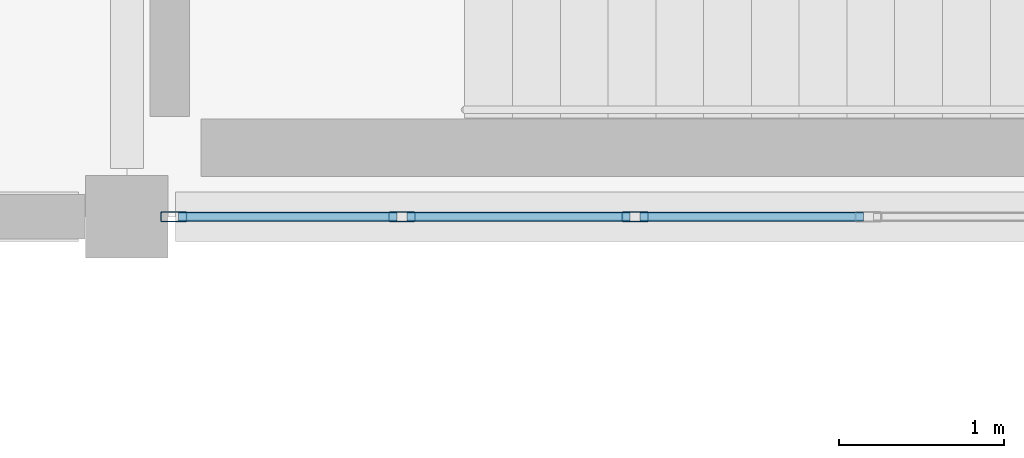
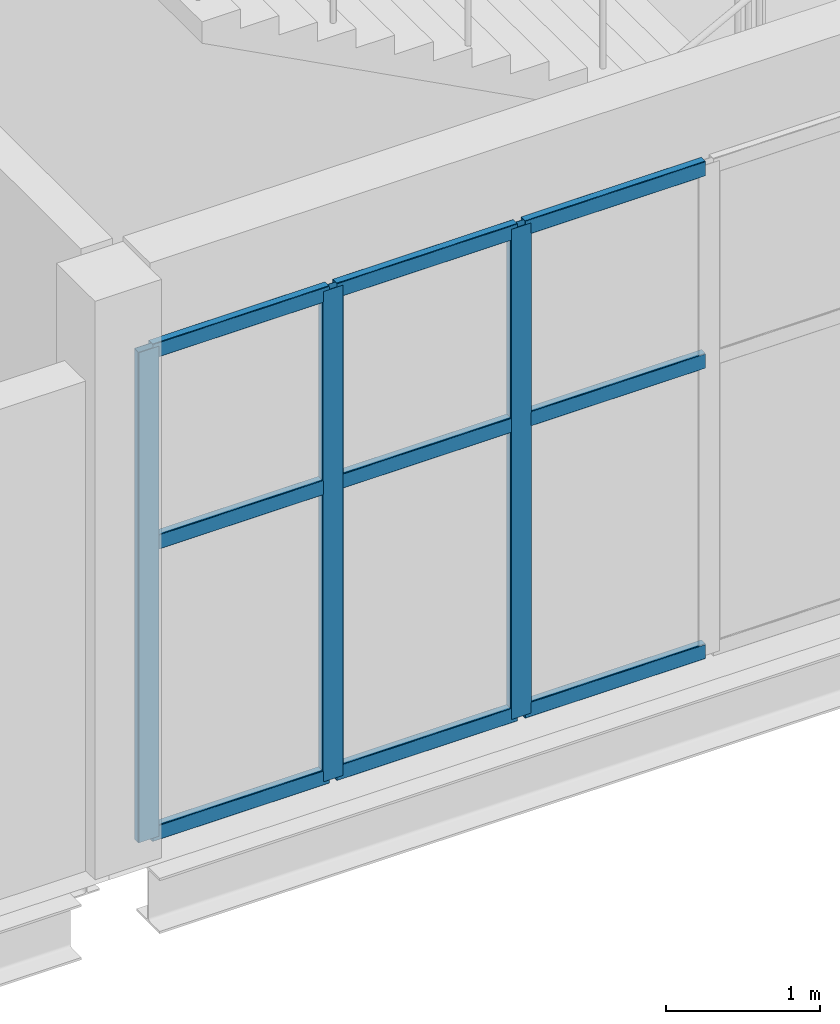
# One storey, part 42 of 74: 12 members, 1 element without a shape of its own.
"""IFC4 building model written with IfcOpenShell, lengths in metres."""

import ifcopenshell
import ifcopenshell.guid

model = None  # the IFC model being written
_history = None  # IfcOwnerHistory: only IFC2X3 demands one
_inside = {}  # id of a spatial element -> (the spatial element, [elements in it])
_under = {}  # id of a project, library or spatial element -> (it, [spatial elements below it])
_declared = {}  # id of a project -> (the project, [libraries it declares])
_typed = {}  # id of a type object -> (the type object, [elements of that type])
_made_of = {}  # id of a material, layer set ... -> (it, [elements and type objects made of it])


def new_model(schema):
    """Start an empty IFC model of exactly this schema.

    Asked for "IFC4X3", IfcOpenShell would pick the latest addendum, in which some entities
    have other attributes; the version numbers below select the first issue.
    IFC2X3 requires an IfcOwnerHistory on every rooted entity: one is made here for all.
    """
    global model, _history
    if schema == "IFC4X3":
        model = ifcopenshell.file(schema_version=(4, 3, 0, 0))
    else:
        model = ifcopenshell.file(schema=schema)
    _inside.clear()
    _under.clear()
    _declared.clear()
    _typed.clear()
    _made_of.clear()
    _history = None
    if model.schema == "IFC2X3":
        org = make("IfcOrganization", Name="unknown")
        user = make(
            "IfcPersonAndOrganization",
            ThePerson=make("IfcPerson", FamilyName="unknown"),
            TheOrganization=org,
        )
        app = make(
            "IfcApplication",
            ApplicationDeveloper=org,
            Version="unknown",
            ApplicationFullName="unknown",
            ApplicationIdentifier="unknown",
        )
        _history = make(
            "IfcOwnerHistory",
            OwningUser=user,
            OwningApplication=app,
            ChangeAction="ADDED",
            CreationDate=0,
        )
    return model


def make(cls, **values):
    """One entity of the class cls with the attributes given. An attribute that is None is left unset."""
    return model.create_entity(
        cls, **{name: value for name, value in values.items() if value is not None}
    )


def rooted(cls, **values):
    """An entity with a GlobalId (a new one), such as an element, a storey or a relation."""
    return make(cls, GlobalId=ifcopenshell.guid.new(), OwnerHistory=_history, **values)


def si_unit(unit_type, name, prefix=None):
    """IfcSIUnit, for example si_unit("LENGTHUNIT", "METRE", prefix="MILLI")."""
    return make("IfcSIUnit", UnitType=unit_type, Prefix=prefix, Name=name)


def assignment(units):
    """IfcUnitAssignment: the units of a project."""
    return None if units is None else make("IfcUnitAssignment", Units=units)


def point(xyz):
    """IfcCartesianPoint."""
    return None if xyz is None else make("IfcCartesianPoint", Coordinates=xyz)


def direction(xyz):
    """IfcDirection."""
    return None if xyz is None else make("IfcDirection", DirectionRatios=xyz)


def frame(location, z_axis=None, x_axis=None):
    """IfcAxis2Placement3D, a coordinate frame: its origin and axes. An axis left out is left unset."""
    return make(
        "IfcAxis2Placement3D",
        Location=point(location),
        Axis=direction(z_axis),
        RefDirection=direction(x_axis),
    )


def frame_2d(location, x_axis=None):
    """IfcAxis2Placement2D, a coordinate frame in the plane: its origin and x axis."""
    return make(
        "IfcAxis2Placement2D", Location=point(location), RefDirection=direction(x_axis)
    )


def origin():
    """The frame at (0, 0, 0) with its axes left unset."""
    return frame((0.0, 0.0, 0.0))


def origin_2d():
    """The frame at (0, 0) in the plane with its x axis left unset."""
    return frame_2d((0.0, 0.0))


def place(relative_to, where):
    """IfcLocalPlacement: puts the frame where relative to a parent placement (None: the world)."""
    return make(
        "IfcLocalPlacement", PlacementRelTo=relative_to, RelativePlacement=where
    )


def context(
    kind, dimensions, precision=None, world=None, true_north=None, identifier=None
):
    """IfcGeometricRepresentationContext, for example the 3D "Model" context."""
    return make(
        "IfcGeometricRepresentationContext",
        ContextIdentifier=identifier,
        ContextType=kind,
        CoordinateSpaceDimension=dimensions,
        Precision=precision,
        WorldCoordinateSystem=world,
        TrueNorth=true_north,
    )


def subcontext(parent, identifier, kind, view, scale=None):
    """IfcGeometricRepresentationSubContext, for example "Body" below "Model"."""
    return make(
        "IfcGeometricRepresentationSubContext",
        ContextIdentifier=identifier,
        ContextType=kind,
        ParentContext=parent,
        TargetScale=scale,
        TargetView=view,
    )


def project(units=None, contexts=None):
    """IfcProject with its units and contexts."""
    return rooted(
        "IfcProject",
        Name="project",
        RepresentationContexts=contexts,
        UnitsInContext=assignment(units),
    )


def spatial(cls, under=None, at=None, **own):
    """A site, building, storey or space (cls), placed at a placement, below another one or the project."""
    s = rooted(cls, ObjectPlacement=at, **own)
    if under is not None:
        _under.setdefault(under.id(), (under, []))[1].append(s)
    return s


def profile(cls, at=None, kind="AREA", **sizes):
    """A parametric profile (cls). Its sizes go by their IFC names, for example OverallWidth=200.0."""
    return make(cls, ProfileType=kind, Position=at, **sizes)


def hollow_rectangle(**sizes):
    """IfcRectangleHollowProfileDef."""
    return profile("IfcRectangleHollowProfileDef", **sizes)


def extrude(swept, where, along, depth):
    """IfcExtrudedAreaSolid: the profile swept, set in the frame where, extruded along a direction by depth."""
    return make(
        "IfcExtrudedAreaSolid",
        SweptArea=swept,
        Position=where,
        ExtrudedDirection=direction(along),
        Depth=depth,
    )


def shape(context_of_items, identifier, shape_type, items):
    """IfcShapeRepresentation: the items that make up one representation, for example the "Body"."""
    return make(
        "IfcShapeRepresentation",
        ContextOfItems=context_of_items,
        RepresentationIdentifier=identifier,
        RepresentationType=shape_type,
        Items=items,
    )


def material(Name=None, Category=None):
    """IfcMaterial."""
    return make("IfcMaterial", Name=Name, Category=Category)


def material_profile(
    of_material, cross_section, Name=None, Category=None, Priority=None
):
    """IfcMaterialProfile: a cross section and its material."""
    return make(
        "IfcMaterialProfile",
        Name=Name,
        Material=of_material,
        Profile=cross_section,
        Priority=Priority,
        Category=Category,
    )


def profile_set(profiles, Name=None, composite=None):
    """IfcMaterialProfileSet."""
    return make(
        "IfcMaterialProfileSet",
        Name=Name,
        MaterialProfiles=profiles,
        CompositeProfile=composite,
    )


def made_of(thing, what):
    """Note that an element or type object is made of a material, layer set ...; save() writes the relation."""
    if what is not None:
        _made_of.setdefault(what.id(), (what, []))[1].append(thing)
    return thing


def type_object(cls, material=None, **own):
    """A type object (cls), such as IfcWallType, which elements share."""
    return made_of(rooted(cls, **own), material)


def element(
    cls,
    number,
    at=None,
    inside=None,
    cuts=None,
    type_object=None,
    material=None,
    context=None,
    identifier="Body",
    shape_type=None,
    held_by="IfcProductDefinitionShape",
    body=None,
    shapes=None,
    **own,
):
    """One element of the class cls, such as IfcWall. Its Tag is "e" and its number.

    at: its placement. inside: the storey or other place that contains it. cuts: it is an
    opening in that element (IfcRelVoidsElement). A single representation is given by context,
    identifier, shape_type and body (its items); several are given by shapes. held_by: the class
    of the entity that holds the representations. save() writes the other relations.
    """
    e = rooted(cls, Tag="e%d" % number, ObjectPlacement=at, **own)
    if body is not None:
        shapes = [shape(context, identifier, shape_type, body)]
    if shapes is not None:
        e.Representation = make(held_by, Representations=shapes)
    if inside is not None:
        _inside.setdefault(inside.id(), (inside, []))[1].append(e)
    if cuts is not None:
        rooted(
            "IfcRelVoidsElement", RelatingBuildingElement=cuts, RelatedOpeningElement=e
        )
    if type_object is not None:
        _typed.setdefault(type_object.id(), (type_object, []))[1].append(e)
    return made_of(e, material)


def aggregate(whole, parts):
    """IfcRelAggregates: a whole, such as a stair, and the parts it consists of."""
    return rooted("IfcRelAggregates", RelatingObject=whole, RelatedObjects=parts)


def save(model, path):
    """Write the relations noted so far, then the file.

    IfcRelAggregates (storeys below a building ...), IfcRelContainedInSpatialStructure (elements
    in a storey), IfcRelDefinesByType, IfcRelAssociatesMaterial and IfcRelDeclares: one each for
    every whole, place, type object, material and project.
    """
    for whole, parts in _under.values():
        aggregate(whole, parts)
    for where, things in _inside.values():
        rooted(
            "IfcRelContainedInSpatialStructure",
            RelatedElements=things,
            RelatingStructure=where,
        )
    for kind, things in _typed.values():
        rooted("IfcRelDefinesByType", RelatedObjects=things, RelatingType=kind)
    for what, things in _made_of.values():
        rooted("IfcRelAssociatesMaterial", RelatedObjects=things, RelatingMaterial=what)
    for by, libraries in _declared.values():
        rooted("IfcRelDeclares", RelatingContext=by, RelatedDefinitions=libraries)
    model.write(path)


model = new_model("IFC4")

# Units and contexts
model_context = context("Model", 3, precision=1e-05, world=origin(), true_north=direction((0.0, 1.0)))
body_context = subcontext(model_context, "Body", "Model", "MODEL_VIEW")
ifc_project = project(units=[si_unit("LENGTHUNIT", "METRE"), si_unit("AREAUNIT", "SQUARE_METRE"), si_unit("VOLUMEUNIT", "CUBIC_METRE"), si_unit("PLANEANGLEUNIT", "RADIAN"), si_unit("MASSUNIT", "GRAM", prefix="KILO")], contexts=[model_context])

# Site, building, storey
site_placement = place(None, origin())
site = spatial("IfcSite", under=ifc_project, at=site_placement, CompositionType="ELEMENT")
building_placement = place(site_placement, origin())
building = spatial("IfcBuilding", under=site, at=building_placement, Name="Shengluoqiao Park Theatre", CompositionType="ELEMENT")
storey_placement = place(building_placement, frame((0.0, 0.0, 14.60009765625)))
storey = spatial("IfcBuildingStorey", under=building, at=storey_placement, Name="L03", CompositionType="ELEMENT", Elevation=14.60009765625)

# Curtain wall, members
ifc_material = material(Name="Aluminium 6063-T6", Category="aluminium")
curtain_wall_type = type_object("IfcCurtainWallType", Name="ENV-CW-CLERE", PredefinedType="NOTDEFINED", material=ifc_material)
curtain_wall_placement = place(storey_placement, origin())
curtain_wall = element("IfcCurtainWall", 1, at=curtain_wall_placement, inside=storey, type_object=curtain_wall_type, Name="L03 Curtain Wall CWX-L03-0200", PredefinedType="NOTDEFINED")
ifc_material_profile_1 = material_profile(ifc_material, hollow_rectangle(XDim=0.06005859375, YDim=0.159912109375, WallThickness=0.00390625, InnerFilletRadius=0.00390625, OuterFilletRadius=0.008056640625, at=origin_2d()), Name="ALU MULLION 160x60x4")
ifc_profile_set_1 = profile_set([ifc_material_profile_1], Name="Aluminium 6063-T6")
member_type_1 = type_object("IfcMemberType", Name="ENV-MUL-160", PredefinedType="MULLION", material=ifc_profile_set_1)
member_1_placement = place(storey_placement, frame((139.68408203125, 84.0, 0.0), z_axis=(0.0, 0.0, 1.0), x_axis=(0.0, 1.0, 0.0)))
member_1 = element("IfcMember", 2, at=member_1_placement, type_object=member_type_1, Name="CW-06 mullion 1", PredefinedType="MULLION", context=body_context, shape_type="SweptSolid", body=[
    extrude(hollow_rectangle(XDim=0.06005859375, YDim=0.159912109375, WallThickness=0.00390625, InnerFilletRadius=0.00390625, OuterFilletRadius=0.008056640625, at=origin_2d()), origin(), (0.0, 0.0, 1.0), 3.89794921875),
])
member_2_placement = place(storey_placement, frame((141.0693359375, 84.0, 0.0), z_axis=(0.0, 0.0, 1.0), x_axis=(0.0, 1.0, 0.0)))
member_2 = element("IfcMember", 3, at=member_2_placement, type_object=member_type_1, Name="CW-06 mullion 2", PredefinedType="MULLION", context=body_context, shape_type="SweptSolid", body=[
    extrude(hollow_rectangle(XDim=0.06005859375, YDim=0.159912109375, WallThickness=0.00390625, InnerFilletRadius=0.00390625, OuterFilletRadius=0.008056640625, at=origin_2d()), origin(), (0.0, 0.0, 1.0), 3.89794921875),
])
member_3_placement = place(storey_placement, frame((142.484619140625, 84.0, 0.0), z_axis=(0.0, 0.0, 1.0), x_axis=(0.0, 1.0, 0.0)))
member_3 = element("IfcMember", 4, at=member_3_placement, type_object=member_type_1, Name="CW-06 mullion 3", PredefinedType="MULLION", context=body_context, shape_type="SweptSolid", body=[
    extrude(hollow_rectangle(XDim=0.06005859375, YDim=0.159912109375, WallThickness=0.00390625, InnerFilletRadius=0.00390625, OuterFilletRadius=0.008056640625, at=origin_2d()), origin(), (0.0, 0.0, 1.0), 3.89794921875),
])
ifc_material_profile_2 = material_profile(ifc_material, hollow_rectangle(XDim=0.06005859375, YDim=0.1201171875, WallThickness=0.00390625, InnerFilletRadius=0.00390625, OuterFilletRadius=0.008056640625, at=origin_2d()), Name="ALU TRANSOM 120x60x4")
ifc_profile_set_2 = profile_set([ifc_material_profile_2], Name="Aluminium 6063-T6")
member_type_2 = type_object("IfcMemberType", Name="ENV-TRN-120", PredefinedType="USERDEFINED", material=ifc_profile_set_2)
member_4_placement = place(storey_placement, frame((139.714111328125, 84.0, 0.02978515625), z_axis=(1.0, 0.0, 0.0), x_axis=(0.0, 1.0, 0.0)))
member_4 = element("IfcMember", 5, at=member_4_placement, type_object=member_type_2, Name="CW-06 transom 1.1", ObjectType="TRANSOM", PredefinedType="USERDEFINED", context=body_context, shape_type="SweptSolid", body=[
    extrude(hollow_rectangle(XDim=0.06005859375, YDim=0.1201171875, WallThickness=0.00390625, InnerFilletRadius=0.00390625, OuterFilletRadius=0.008056640625, at=origin_2d()), origin(), (0.0, 0.0, 1.0), 1.3251953125),
])
member_5_placement = place(storey_placement, frame((139.714111328125, 84.0, 2.3388671875), z_axis=(1.0, 0.0, 0.0), x_axis=(0.0, 1.0, 0.0)))
member_5 = element("IfcMember", 6, at=member_5_placement, type_object=member_type_2, Name="CW-06 transom 1.2", ObjectType="TRANSOM", PredefinedType="USERDEFINED", context=body_context, shape_type="SweptSolid", body=[
    extrude(hollow_rectangle(XDim=0.06005859375, YDim=0.1201171875, WallThickness=0.00390625, InnerFilletRadius=0.00390625, OuterFilletRadius=0.008056640625, at=origin_2d()), origin(), (0.0, 0.0, 1.0), 1.3251953125),
])
member_6_placement = place(storey_placement, frame((139.714111328125, 84.0, 3.867919921875), z_axis=(1.0, 0.0, 0.0), x_axis=(0.0, 1.0, 0.0)))
member_6 = element("IfcMember", 7, at=member_6_placement, type_object=member_type_2, Name="CW-06 transom 1.3", ObjectType="TRANSOM", PredefinedType="USERDEFINED", context=body_context, shape_type="SweptSolid", body=[
    extrude(hollow_rectangle(XDim=0.06005859375, YDim=0.1201171875, WallThickness=0.00390625, InnerFilletRadius=0.00390625, OuterFilletRadius=0.008056640625, at=origin_2d()), origin(), (0.0, 0.0, 1.0), 1.3251953125),
])
member_7_placement = place(storey_placement, frame((141.099365234375, 84.0, 0.02978515625), z_axis=(1.0, 0.0, 0.0), x_axis=(0.0, 1.0, 0.0)))
member_7 = element("IfcMember", 8, at=member_7_placement, type_object=member_type_2, Name="CW-06 transom 2.1", ObjectType="TRANSOM", PredefinedType="USERDEFINED", context=body_context, shape_type="SweptSolid", body=[
    extrude(hollow_rectangle(XDim=0.06005859375, YDim=0.1201171875, WallThickness=0.00390625, InnerFilletRadius=0.00390625, OuterFilletRadius=0.008056640625, at=origin_2d()), origin(), (0.0, 0.0, 1.0), 1.355224609375),
])
member_8_placement = place(storey_placement, frame((141.099365234375, 84.0, 2.3388671875), z_axis=(1.0, 0.0, 0.0), x_axis=(0.0, 1.0, 0.0)))
member_8 = element("IfcMember", 9, at=member_8_placement, type_object=member_type_2, Name="CW-06 transom 2.2", ObjectType="TRANSOM", PredefinedType="USERDEFINED", context=body_context, shape_type="SweptSolid", body=[
    extrude(hollow_rectangle(XDim=0.06005859375, YDim=0.1201171875, WallThickness=0.00390625, InnerFilletRadius=0.00390625, OuterFilletRadius=0.008056640625, at=origin_2d()), origin(), (0.0, 0.0, 1.0), 1.355224609375),
])
member_9_placement = place(storey_placement, frame((141.099365234375, 84.0, 3.867919921875), z_axis=(1.0, 0.0, 0.0), x_axis=(0.0, 1.0, 0.0)))
member_9 = element("IfcMember", 10, at=member_9_placement, type_object=member_type_2, Name="CW-06 transom 2.3", ObjectType="TRANSOM", PredefinedType="USERDEFINED", context=body_context, shape_type="SweptSolid", body=[
    extrude(hollow_rectangle(XDim=0.06005859375, YDim=0.1201171875, WallThickness=0.00390625, InnerFilletRadius=0.00390625, OuterFilletRadius=0.008056640625, at=origin_2d()), origin(), (0.0, 0.0, 1.0), 1.355224609375),
])
member_10_placement = place(storey_placement, frame((142.5146484375, 84.0, 0.02978515625), z_axis=(1.0, 0.0, 0.0), x_axis=(0.0, 1.0, 0.0)))
member_10 = element("IfcMember", 11, at=member_10_placement, type_object=member_type_2, Name="CW-06 transom 3.1", ObjectType="TRANSOM", PredefinedType="USERDEFINED", context=body_context, shape_type="SweptSolid", body=[
    extrude(hollow_rectangle(XDim=0.06005859375, YDim=0.1201171875, WallThickness=0.00390625, InnerFilletRadius=0.00390625, OuterFilletRadius=0.008056640625, at=origin_2d()), origin(), (0.0, 0.0, 1.0), 1.35546875),
])
member_11_placement = place(storey_placement, frame((142.5146484375, 84.0, 2.3388671875), z_axis=(1.0, 0.0, 0.0), x_axis=(0.0, 1.0, 0.0)))
member_11 = element("IfcMember", 12, at=member_11_placement, type_object=member_type_2, Name="CW-06 transom 3.2", ObjectType="TRANSOM", PredefinedType="USERDEFINED", context=body_context, shape_type="SweptSolid", body=[
    extrude(hollow_rectangle(XDim=0.06005859375, YDim=0.1201171875, WallThickness=0.00390625, InnerFilletRadius=0.00390625, OuterFilletRadius=0.008056640625, at=origin_2d()), origin(), (0.0, 0.0, 1.0), 1.35546875),
])
member_12_placement = place(storey_placement, frame((142.5146484375, 84.0, 3.867919921875), z_axis=(1.0, 0.0, 0.0), x_axis=(0.0, 1.0, 0.0)))
member_12 = element("IfcMember", 13, at=member_12_placement, type_object=member_type_2, Name="CW-06 transom 3.3", ObjectType="TRANSOM", PredefinedType="USERDEFINED", context=body_context, shape_type="SweptSolid", body=[
    extrude(hollow_rectangle(XDim=0.06005859375, YDim=0.1201171875, WallThickness=0.00390625, InnerFilletRadius=0.00390625, OuterFilletRadius=0.008056640625, at=origin_2d()), origin(), (0.0, 0.0, 1.0), 1.35546875),
])
aggregate(curtain_wall, [member_1, member_2, member_3, member_4, member_5, member_6, member_7, member_8, member_9, member_10, member_11, member_12])

save(model, "model.ifc")
